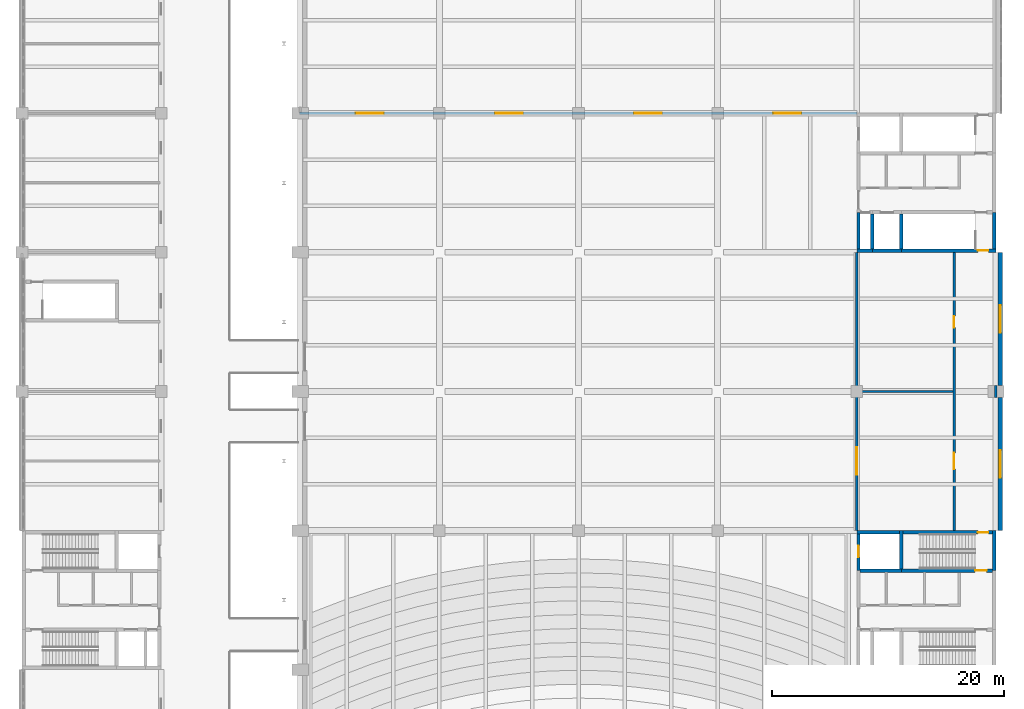
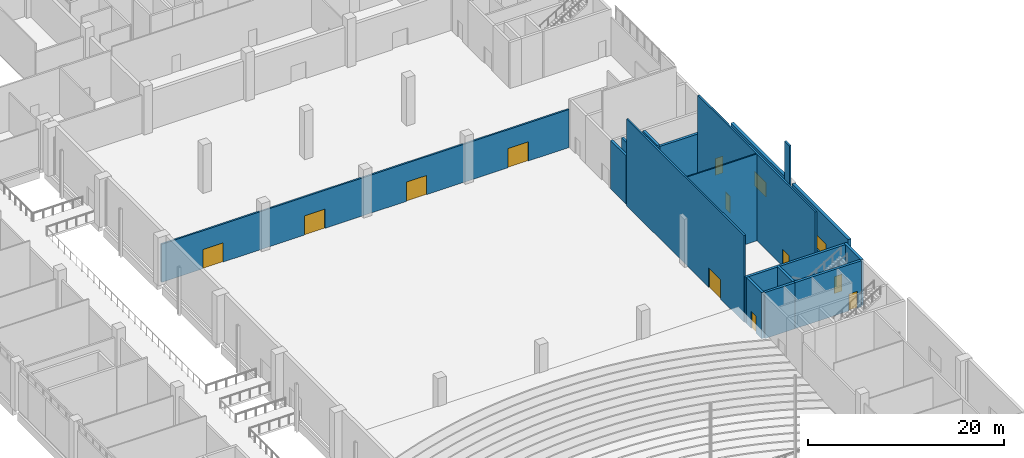
# One storey, part 61 of 72: 21 walls, 11 doors, 2 windows, 13 openings.
"""IFC4 building model written with IfcOpenShell, lengths in metres."""

from ifc_helpers import new_model, si_unit, direction, frame, frame_2d, origin, place, context, subcontext, project, spatial, rectangle, extrude, material, layer, layer_set, type_object, element, fill, save


model = new_model("IFC4")

# Units and contexts
model_context = context("Model", 3, precision=1e-05, world=origin(), true_north=direction((0.0, 1.0)))
body_context = subcontext(model_context, "Body", "Model", "MODEL_VIEW")
ifc_project = project(units=[si_unit("LENGTHUNIT", "METRE"), si_unit("AREAUNIT", "SQUARE_METRE"), si_unit("VOLUMEUNIT", "CUBIC_METRE"), si_unit("PLANEANGLEUNIT", "RADIAN"), si_unit("MASSUNIT", "GRAM", prefix="KILO")], contexts=[model_context])

# Site, building, storey
site_placement = place(None, origin())
site = spatial("IfcSite", under=ifc_project, at=site_placement, CompositionType="ELEMENT")
building_placement = place(site_placement, origin())
building = spatial("IfcBuilding", under=site, at=building_placement, Name="Lilac Gate Convention Centre", CompositionType="ELEMENT")
storey_placement = place(building_placement, frame((0.0, 0.0, 6.0)))
storey = spatial("IfcBuildingStorey", under=building, at=storey_placement, Name="L01", CompositionType="ELEMENT", Elevation=6.0)

# Wall
ifc_material_1 = material(Name="Fire-rated gypsum board on steel stud", Category="steel")
ifc_layer_1 = layer(ifc_material_1, 0.14990234375)
ifc_layer_set_1 = layer_set([ifc_layer_1], Name="Fire-rated gypsum board on steel stud")
wall_type_1 = type_object("IfcWallType", Name="Partition 150 fire-rated gypsum board EI 60", PredefinedType="PARTITIONING", material=ifc_layer_set_1)
wall_1_placement = place(storey_placement, frame((78.10009765625, 174.0, 0.0), z_axis=(0.0, 0.0, 1.0), x_axis=(1.0, 0.0, 0.0)))
element("IfcWall", 1, at=wall_1_placement, inside=storey, type_object=wall_type_1, Name="Partition 150 fire-rated gypsum board EI 60", PredefinedType="PARTITIONING", context=body_context, shape_type="SweptSolid", body=[
    extrude(rectangle(XDim=8.199951171875, YDim=0.14990234375, at=frame_2d((4.10009765625, 0.0))), origin(), (0.0, 0.0, 1.0), 10.824951171875),
])

# Wall, openings, doors
ifc_material_2 = material(Name="Clay brick masonry", Category="masonry")
ifc_layer_2 = layer(ifc_material_2, 0.199951171875)
ifc_layer_set_2 = layer_set([ifc_layer_2], Name="Clay brick masonry")
wall_type_2 = type_object("IfcWallType", Name="Partition 200 brick EI 120", PredefinedType="PARTITIONING", material=ifc_layer_set_2)
wall_2_placement = place(storey_placement, frame((29.925048828125, 198.0, 0.0), z_axis=(0.0, 0.0, 1.0), x_axis=(1.0, 0.0, 0.0)))
wall_2 = element("IfcWall", 2, at=wall_2_placement, inside=storey, type_object=wall_type_2, Name="Partition 200 brick EI 120", PredefinedType="PARTITIONING", context=body_context, shape_type="SweptSolid", body=[
    extrude(rectangle(XDim=48.074951171875, YDim=0.199951171875, at=frame_2d((24.03759765625, 0.0))), origin(), (0.0, 0.0, 1.0), 4.75),
])
opening_1_placement = place(wall_2_placement, frame((4.875, 0.0, 0.0)))
opening_1 = element("IfcOpeningElement", 3, at=opening_1_placement, cuts=wall_2, Name="Opening L01-094", PredefinedType="OPENING", context=body_context, shape_type="SweptSolid", body=[
    extrude(rectangle(XDim=2.39990234375, YDim=2.39990234375, at=frame_2d((1.199951171875, 1.199951171875))), frame((0.0, 0.10986328125, 0.0), z_axis=(0.0, -1.0, 0.0), x_axis=(1.0, 0.0, 0.0)), (0.0, 0.0, 1.0), 0.219970703125),
])
opening_2_placement = place(wall_2_placement, frame((16.875, 0.0, 0.0)))
opening_2 = element("IfcOpeningElement", 4, at=opening_2_placement, cuts=wall_2, Name="Opening L01-095", PredefinedType="OPENING", context=body_context, shape_type="SweptSolid", body=[
    extrude(rectangle(XDim=2.39990234375, YDim=2.39990234375, at=frame_2d((1.199951171875, 1.199951171875))), frame((0.0, 0.10986328125, 0.0), z_axis=(0.0, -1.0, 0.0), x_axis=(1.0, 0.0, 0.0)), (0.0, 0.0, 1.0), 0.219970703125),
])
opening_3_placement = place(wall_2_placement, frame((28.875, 0.0, 0.0)))
opening_3 = element("IfcOpeningElement", 5, at=opening_3_placement, cuts=wall_2, Name="Opening L01-096", PredefinedType="OPENING", context=body_context, shape_type="SweptSolid", body=[
    extrude(rectangle(XDim=2.39990234375, YDim=2.39990234375, at=frame_2d((1.199951171875, 1.199951171875))), frame((0.0, 0.10986328125, 0.0), z_axis=(0.0, -1.0, 0.0), x_axis=(1.0, 0.0, 0.0)), (0.0, 0.0, 1.0), 0.219970703125),
])
opening_4_placement = place(wall_2_placement, frame((40.875, 0.0, 0.0)))
opening_4 = element("IfcOpeningElement", 6, at=opening_4_placement, cuts=wall_2, Name="Opening L01-097", PredefinedType="OPENING", context=body_context, shape_type="SweptSolid", body=[
    extrude(rectangle(XDim=2.39990234375, YDim=2.39990234375, at=frame_2d((1.199951171875, 1.199951171875))), frame((0.0, 0.10986328125, 0.0), z_axis=(0.0, -1.0, 0.0), x_axis=(1.0, 0.0, 0.0)), (0.0, 0.0, 1.0), 0.219970703125),
])
ifc_material_3 = material(Name="Steel Q235B", Category="steel")
door_type_1 = type_object("IfcDoorType", Name="Door 2400 x 2400 double leaf FD90", OperationType="DOUBLE_DOOR_SINGLE_SWING", PredefinedType="DOOR", material=ifc_material_3)
door_1_placement = place(opening_1_placement, origin())
door_1 = element("IfcDoor", 7, at=door_1_placement, inside=storey, type_object=door_type_1, Name="Hall exit door L01-094", OperationType="DOUBLE_DOOR_SINGLE_SWING", OverallHeight=2.39990234375, OverallWidth=2.39990234375, PredefinedType="DOOR", context=body_context, shape_type="SweptSolid", body=[
    extrude(rectangle(XDim=2.39990234375, YDim=2.39990234375, at=frame_2d((1.199951171875, 1.199951171875))), frame((0.0, 0.02490234375, 0.0), z_axis=(0.0, -1.0, 0.0), x_axis=(1.0, 0.0, 0.0)), (0.0, 0.0, 1.0), 0.050048828125),
])
fill(opening_1, door_1)
door_2_placement = place(opening_2_placement, origin())
door_2 = element("IfcDoor", 8, at=door_2_placement, inside=storey, type_object=door_type_1, Name="Hall exit door L01-095", OperationType="DOUBLE_DOOR_SINGLE_SWING", OverallHeight=2.39990234375, OverallWidth=2.39990234375, PredefinedType="DOOR", context=body_context, shape_type="SweptSolid", body=[
    extrude(rectangle(XDim=2.39990234375, YDim=2.39990234375, at=frame_2d((1.199951171875, 1.199951171875))), frame((0.0, 0.02490234375, 0.0), z_axis=(0.0, -1.0, 0.0), x_axis=(1.0, 0.0, 0.0)), (0.0, 0.0, 1.0), 0.050048828125),
])
fill(opening_2, door_2)
door_3_placement = place(opening_3_placement, origin())
door_3 = element("IfcDoor", 9, at=door_3_placement, inside=storey, type_object=door_type_1, Name="Hall exit door L01-096", OperationType="DOUBLE_DOOR_SINGLE_SWING", OverallHeight=2.39990234375, OverallWidth=2.39990234375, PredefinedType="DOOR", context=body_context, shape_type="SweptSolid", body=[
    extrude(rectangle(XDim=2.39990234375, YDim=2.39990234375, at=frame_2d((1.199951171875, 1.199951171875))), frame((0.0, 0.02490234375, 0.0), z_axis=(0.0, -1.0, 0.0), x_axis=(1.0, 0.0, 0.0)), (0.0, 0.0, 1.0), 0.050048828125),
])
fill(opening_3, door_3)
door_4_placement = place(opening_4_placement, origin())
door_4 = element("IfcDoor", 10, at=door_4_placement, inside=storey, type_object=door_type_1, Name="Hall exit door L01-097", OperationType="DOUBLE_DOOR_SINGLE_SWING", OverallHeight=2.39990234375, OverallWidth=2.39990234375, PredefinedType="DOOR", context=body_context, shape_type="SweptSolid", body=[
    extrude(rectangle(XDim=2.39990234375, YDim=2.39990234375, at=frame_2d((1.199951171875, 1.199951171875))), frame((0.0, 0.02490234375, 0.0), z_axis=(0.0, -1.0, 0.0), x_axis=(1.0, 0.0, 0.0)), (0.0, 0.0, 1.0), 0.050048828125),
])
fill(opening_4, door_4)

# Wall, opening, door
wall_3_placement = place(storey_placement, frame((78.0, 162.0, 0.0), z_axis=(0.0, 0.0, 1.0), x_axis=(0.0, 1.0, 0.0)))
wall_3 = element("IfcWall", 11, at=wall_3_placement, inside=storey, type_object=wall_type_2, Name="Partition 200 brick EI 120", PredefinedType="PARTITIONING", context=body_context, shape_type="SweptSolid", body=[
    extrude(rectangle(XDim=24.0, YDim=0.199951171875, at=frame_2d((12.0, 0.0))), origin(), (0.0, 0.0, 1.0), 10.824951171875),
])
opening_5_placement = place(wall_3_placement, frame((4.800048828125, 0.0, 0.0)))
opening_5 = element("IfcOpeningElement", 12, at=opening_5_placement, cuts=wall_3, Name="Opening L01-073", PredefinedType="OPENING", context=body_context, shape_type="SweptSolid", body=[
    extrude(rectangle(XDim=2.39990234375, YDim=2.39990234375, at=frame_2d((1.199951171875, 1.199951171875))), frame((0.0, 0.10986328125, 0.0), z_axis=(0.0, -1.0, 0.0), x_axis=(1.0, 0.0, 0.0)), (0.0, 0.0, 1.0), 0.219970703125),
])
door_5_placement = place(opening_5_placement, frame((2.39990234375, 0.0, 0.0), z_axis=(0.0, 0.0, 1.0), x_axis=(-1.0, 0.0, 0.0)))
door_5 = element("IfcDoor", 13, at=door_5_placement, inside=storey, type_object=door_type_1, Name="Hall exit door L01-073", OperationType="DOUBLE_DOOR_SINGLE_SWING", OverallHeight=2.39990234375, OverallWidth=2.39990234375, PredefinedType="DOOR", context=body_context, shape_type="SweptSolid", body=[
    extrude(rectangle(XDim=2.39990234375, YDim=2.39990234375, at=frame_2d((1.199951171875, 1.199951171875))), frame((0.0, 0.02490234375, 0.0), z_axis=(0.0, -1.0, 0.0), x_axis=(1.0, 0.0, 0.0)), (0.0, 0.0, 1.0), 0.050048828125),
])
fill(opening_5, door_5)

# Wall, openings, doors
ifc_layer_3 = layer(ifc_material_2, 0.199951171875)
ifc_layer_set_3 = layer_set([ifc_layer_3], Name="Clay brick masonry")
wall_type_3 = type_object("IfcWallType", Name="Partition 200 brick EI 60", PredefinedType="PARTITIONING", material=ifc_layer_set_3)
wall_4_placement = place(storey_placement, frame((86.39990234375, 162.0, 0.0), z_axis=(0.0, 0.0, 1.0), x_axis=(0.0, 1.0, 0.0)))
wall_4 = element("IfcWall", 14, at=wall_4_placement, inside=storey, type_object=wall_type_3, Name="Partition 200 brick EI 60", PredefinedType="PARTITIONING", context=body_context, shape_type="SweptSolid", body=[
    extrude(rectangle(XDim=24.0, YDim=0.199951171875, at=frame_2d((12.0, 0.0))), origin(), (0.0, 0.0, 1.0), 10.824951171875),
])
opening_6_placement = place(wall_4_placement, frame((5.300048828125, 0.0, 0.0)))
opening_6 = element("IfcOpeningElement", 15, at=opening_6_placement, cuts=wall_4, Name="Opening L01-074", PredefinedType="OPENING", context=body_context, shape_type="SweptSolid", body=[
    extrude(rectangle(XDim=1.39990234375, YDim=2.10009765625, at=frame_2d((0.699951171875, 1.050048828125))), frame((0.0, 0.10986328125, 0.0), z_axis=(0.0, -1.0, 0.0), x_axis=(1.0, 0.0, 0.0)), (0.0, 0.0, 1.0), 0.219970703125),
])
opening_7_placement = place(wall_4_placement, frame((17.5, 0.0, 0.0)))
opening_7 = element("IfcOpeningElement", 16, at=opening_7_placement, cuts=wall_4, Name="Opening L01-079", PredefinedType="OPENING", context=body_context, shape_type="SweptSolid", body=[
    extrude(rectangle(XDim=1.0, YDim=2.10009765625, at=frame_2d((0.5, 1.050048828125))), frame((0.0, 0.10986328125, 0.0), z_axis=(0.0, -1.0, 0.0), x_axis=(1.0, 0.0, 0.0)), (0.0, 0.0, 1.0), 0.219970703125),
])
ifc_material_4 = material(Name="Timber fire door leaf", Category="wood")
door_type_2 = type_object("IfcDoorType", Name="Door 1000 x 2100 single leaf FD30", OperationType="SINGLE_SWING_LEFT", PredefinedType="DOOR", material=ifc_material_4)
door_6_placement = place(opening_7_placement, origin())
door_6 = element("IfcDoor", 17, at=door_6_placement, inside=storey, type_object=door_type_2, Name="Store door L01-079", OperationType="SINGLE_SWING_RIGHT", OverallHeight=2.10009765625, OverallWidth=1.0, PredefinedType="DOOR", context=body_context, shape_type="SweptSolid", body=[
    extrude(rectangle(XDim=1.0, YDim=2.10009765625, at=frame_2d((0.5, 1.050048828125))), frame((0.0, 0.02490234375, 0.0), z_axis=(0.0, -1.0, 0.0), x_axis=(1.0, 0.0, 0.0)), (0.0, 0.0, 1.0), 0.050048828125),
])
fill(opening_7, door_6)
door_type_3 = type_object("IfcDoorType", Name="Door 1400 x 2100 double leaf FD30", OperationType="DOUBLE_DOOR_SINGLE_SWING", PredefinedType="DOOR", material=ifc_material_4)
door_7_placement = place(opening_6_placement, frame((1.39990234375, 0.0, 0.0), z_axis=(0.0, 0.0, 1.0), x_axis=(-1.0, 0.0, 0.0)))
door_7 = element("IfcDoor", 18, at=door_7_placement, inside=storey, type_object=door_type_3, Name="Pantry door L01-074", OperationType="DOUBLE_DOOR_SINGLE_SWING", OverallHeight=2.10009765625, OverallWidth=1.39990234375, PredefinedType="DOOR", context=body_context, shape_type="SweptSolid", body=[
    extrude(rectangle(XDim=1.39990234375, YDim=2.10009765625, at=frame_2d((0.699951171875, 1.050048828125))), frame((0.0, 0.02490234375, 0.0), z_axis=(0.0, -1.0, 0.0), x_axis=(1.0, 0.0, 0.0)), (0.0, 0.0, 1.0), 0.050048828125),
])
fill(opening_6, door_7)

# Wall
wall_5_placement = place(storey_placement, frame((90.0, 173.5, 0.0), z_axis=(0.0, 0.0, 1.0), x_axis=(0.0, 1.0, 0.0)))
element("IfcWall", 19, at=wall_5_placement, inside=storey, type_object=wall_type_3, Name="Partition 200 brick EI 60", PredefinedType="PARTITIONING", context=body_context, shape_type="SweptSolid", body=[
    extrude(rectangle(XDim=1.0, YDim=0.199951171875, at=frame_2d((0.5, 0.0))), origin(), (0.0, 0.0, 1.0), 10.824951171875),
])

# Wall, opening, window
ifc_material_5 = material(Name="Ochre mineral render")
ifc_layer_4 = layer(ifc_material_5, 0.02001953125)
ifc_material_6 = material(Name="Concrete C40 precast", Category="concrete")
ifc_layer_5 = layer(ifc_material_6, 0.06005859375)
ifc_material_7 = material(Name="Ventilated air cavity")
ifc_layer_6 = layer(ifc_material_7, 0.030029296875)
ifc_material_8 = material(Name="Mineral wool insulation")
ifc_layer_7 = layer(ifc_material_8, 0.169921875)
ifc_material_9 = material(Name="Steel stud Q345 and gypsum lining", Category="steel")
ifc_layer_8 = layer(ifc_material_9, 0.070068359375)
ifc_layer_set_4 = layer_set([ifc_layer_4, ifc_layer_5, ifc_layer_6, ifc_layer_7, ifc_layer_8], Name="Ochre mineral render, Concrete C40 precast, Ventilated air cavity, Mineral wool insulation, Steel stud Q345 and gypsum lining")
wall_type_4 = type_object("IfcWallType", Name="Podium precast wall 350", PredefinedType="STANDARD", material=ifc_layer_set_4)
wall_6_placement = place(storey_placement, frame((90.375, 162.0, 0.0), z_axis=(0.0, 0.0, 1.0), x_axis=(0.0, 1.0, 0.0)))
wall_6 = element("IfcWall", 20, at=wall_6_placement, inside=storey, type_object=wall_type_4, Name="External wall hall east HE L01 10", PredefinedType="STANDARD", context=body_context, shape_type="SweptSolid", body=[
    extrude(rectangle(XDim=11.5, YDim=0.35009765625, at=frame_2d((5.75, 0.0))), origin(), (0.0, 0.0, 1.0), 6.0),
])
opening_8_placement = place(wall_6_placement, frame((4.550048828125, 0.0, 0.89990234375)))
opening_8 = element("IfcOpeningElement", 21, at=opening_8_placement, cuts=wall_6, Name="Opening W5", PredefinedType="OPENING", context=body_context, shape_type="SweptSolid", body=[
    extrude(rectangle(XDim=2.39990234375, YDim=1.800048828125, at=frame_2d((1.199951171875, 0.89990234375))), frame((0.0, 0.18505859375, 0.0), z_axis=(0.0, -1.0, 0.0), x_axis=(1.0, 0.0, 0.0)), (0.0, 0.0, 1.0), 0.3701171875),
])
ifc_material_10 = material(Name="Aluminium framed double glazing", Category="aluminium")
window_type = type_object("IfcWindowType", Name="Meeting room window 2400 x 1800", PartitioningType="TRIPLE_PANEL_VERTICAL", PredefinedType="WINDOW", material=ifc_material_10)
window_1_placement = place(opening_8_placement, origin())
window_1 = element("IfcWindow", 22, at=window_1_placement, inside=storey, type_object=window_type, Name="Window L01 east 167", OverallHeight=1.800048828125, OverallWidth=2.39990234375, PartitioningType="SINGLE_PANEL", PredefinedType="WINDOW", context=body_context, shape_type="SweptSolid", body=[
    extrude(rectangle(XDim=2.39990234375, YDim=1.800048828125, at=frame_2d((1.199951171875, 0.89990234375))), frame((0.0, 0.030029296875, 0.0), z_axis=(0.0, -1.0, 0.0), x_axis=(1.0, 0.0, 0.0)), (0.0, 0.0, 1.0), 0.06005859375),
])
fill(opening_8, window_1)

wall_7_placement = place(storey_placement, frame((90.375, 174.5, 0.0), z_axis=(0.0, 0.0, 1.0), x_axis=(0.0, 1.0, 0.0)))
wall_7 = element("IfcWall", 23, at=wall_7_placement, inside=storey, type_object=wall_type_4, Name="External wall hall east HE L01 11", PredefinedType="STANDARD", context=body_context, shape_type="SweptSolid", body=[
    extrude(rectangle(XDim=11.5, YDim=0.35009765625, at=frame_2d((5.75, 0.0))), origin(), (0.0, 0.0, 1.0), 6.0),
])
opening_9_placement = place(wall_7_placement, frame((4.550048828125, 0.0, 0.89990234375)))
opening_9 = element("IfcOpeningElement", 24, at=opening_9_placement, cuts=wall_7, Name="Opening W5", PredefinedType="OPENING", context=body_context, shape_type="SweptSolid", body=[
    extrude(rectangle(XDim=2.39990234375, YDim=1.800048828125, at=frame_2d((1.199951171875, 0.89990234375))), frame((0.0, 0.18505859375, 0.0), z_axis=(0.0, -1.0, 0.0), x_axis=(1.0, 0.0, 0.0)), (0.0, 0.0, 1.0), 0.3701171875),
])
window_2_placement = place(opening_9_placement, origin())
window_2 = element("IfcWindow", 25, at=window_2_placement, inside=storey, type_object=window_type, Name="Window L01 east 180", OverallHeight=1.800048828125, OverallWidth=2.39990234375, PartitioningType="SINGLE_PANEL", PredefinedType="WINDOW", context=body_context, shape_type="SweptSolid", body=[
    extrude(rectangle(XDim=2.39990234375, YDim=1.800048828125, at=frame_2d((1.199951171875, 0.89990234375))), frame((0.0, 0.030029296875, 0.0), z_axis=(0.0, -1.0, 0.0), x_axis=(1.0, 0.0, 0.0)), (0.0, 0.0, 1.0), 0.06005859375),
])
fill(opening_9, window_2)

# Wall, opening, door
ifc_material_11 = material(Name="Concrete C40", Category="concrete")
ifc_layer_9 = layer(ifc_material_11, 0.300048828125)
ifc_layer_set_5 = layer_set([ifc_layer_9], Name="Concrete C40")
wall_type_5 = type_object("IfcWallType", Name="Shear wall 300 C40", PredefinedType="SHEAR", material=ifc_layer_set_5)
wall_8_placement = place(storey_placement, frame((90.0, 161.85009765625, 0.0), z_axis=(0.0, 0.0, 1.0), x_axis=(-1.0, 0.0, 0.0)))
wall_8 = element("IfcWall", 26, at=wall_8_placement, inside=storey, type_object=wall_type_5, Name="SW1 shear wall E2 L01 4", PredefinedType="SHEAR", context=body_context, shape_type="SweptSolid", body=[
    extrude(rectangle(XDim=8.14990234375, YDim=0.300048828125, at=frame_2d((4.074951171875, 0.0))), origin(), (0.0, 0.0, 1.0), 5.75),
])
opening_10_placement = place(wall_8_placement, frame((0.64990234375, 0.0, 0.0)))
opening_10 = element("IfcOpeningElement", 27, at=opening_10_placement, cuts=wall_8, Name="Opening L01-071", PredefinedType="OPENING", context=body_context, shape_type="SweptSolid", body=[
    extrude(rectangle(XDim=0.89990234375, YDim=2.10009765625, at=frame_2d((0.449951171875, 1.050048828125))), frame((0.0, 0.159912109375, 0.0), z_axis=(0.0, -1.0, 0.0), x_axis=(1.0, 0.0, 0.0)), (0.0, 0.0, 1.0), 0.320068359375),
])
door_type_4 = type_object("IfcDoorType", Name="Door 900 x 2100 single leaf FD60", OperationType="SINGLE_SWING_LEFT", PredefinedType="DOOR", material=ifc_material_4)
door_8_placement = place(opening_10_placement, origin())
door_8 = element("IfcDoor", 28, at=door_8_placement, inside=storey, type_object=door_type_4, Name="Stair door L01-071", OperationType="SINGLE_SWING_RIGHT", OverallHeight=2.10009765625, OverallWidth=0.89990234375, PredefinedType="DOOR", context=body_context, shape_type="SweptSolid", body=[
    extrude(rectangle(XDim=0.89990234375, YDim=2.10009765625, at=frame_2d((0.449951171875, 1.050048828125))), frame((0.0, 0.02490234375, 0.0), z_axis=(0.0, -1.0, 0.0), x_axis=(1.0, 0.0, 0.0)), (0.0, 0.0, 1.0), 0.050048828125),
])
fill(opening_10, door_8)

# Wall
wall_9_placement = place(storey_placement, frame((81.85009765625, 161.85009765625, 0.0), z_axis=(0.0, 0.0, 1.0), x_axis=(-1.0, 0.0, 0.0)))
element("IfcWall", 29, at=wall_9_placement, inside=storey, type_object=wall_type_5, Name="SW1 shear wall E2 L01 5", PredefinedType="SHEAR", context=body_context, shape_type="SweptSolid", body=[
    extrude(rectangle(XDim=3.85009765625, YDim=0.300048828125, at=frame_2d((1.925048828125, 0.0))), origin(), (0.0, 0.0, 1.0), 5.75),
])

# Wall, opening, door
wall_10_placement = place(storey_placement, frame((89.699951171875, 158.550048828125, 0.0), z_axis=(0.0, 0.0, 1.0), x_axis=(-1.0, 0.0, 0.0)))
wall_10 = element("IfcWall", 30, at=wall_10_placement, inside=storey, type_object=wall_type_5, Name="SW1 shear wall E2 L01 9", PredefinedType="SHEAR", context=body_context, shape_type="SweptSolid", body=[
    extrude(rectangle(XDim=7.849853515625, YDim=0.300048828125, at=frame_2d((3.9248046875, 0.0))), origin(), (0.0, 0.0, 1.0), 5.75),
])
opening_11_placement = place(wall_10_placement, frame((0.5, 0.0, 0.0)))
opening_11 = element("IfcOpeningElement", 31, at=opening_11_placement, cuts=wall_10, Name="Opening L01-068", PredefinedType="OPENING", context=body_context, shape_type="SweptSolid", body=[
    extrude(rectangle(XDim=1.0, YDim=2.10009765625, at=frame_2d((0.5, 1.050048828125))), frame((0.0, 0.159912109375, 0.0), z_axis=(0.0, -1.0, 0.0), x_axis=(1.0, 0.0, 0.0)), (0.0, 0.0, 1.0), 0.320068359375),
])
door_type_5 = type_object("IfcDoorType", Name="Door 1000 x 2100 single leaf FD60", OperationType="SINGLE_SWING_LEFT", PredefinedType="DOOR", material=ifc_material_4)
door_9_placement = place(opening_11_placement, frame((1.0, 0.0, 0.0), z_axis=(0.0, 0.0, 1.0), x_axis=(-1.0, 0.0, 0.0)))
door_9 = element("IfcDoor", 32, at=door_9_placement, inside=storey, type_object=door_type_5, Name="Stair door L01-068", OperationType="SINGLE_SWING_LEFT", OverallHeight=2.10009765625, OverallWidth=1.0, PredefinedType="DOOR", context=body_context, shape_type="SweptSolid", body=[
    extrude(rectangle(XDim=1.0, YDim=2.10009765625, at=frame_2d((0.5, 1.050048828125))), frame((0.0, 0.02490234375, 0.0), z_axis=(0.0, -1.0, 0.0), x_axis=(1.0, 0.0, 0.0)), (0.0, 0.0, 1.0), 0.050048828125),
])
fill(opening_11, door_9)

# Walls
wall_11_placement = place(storey_placement, frame((81.85009765625, 158.550048828125, 0.0), z_axis=(0.0, 0.0, 1.0), x_axis=(-1.0, 0.0, 0.0)))
element("IfcWall", 33, at=wall_11_placement, inside=storey, type_object=wall_type_5, Name="SW1 shear wall E2 L01 10", PredefinedType="SHEAR", context=body_context, shape_type="SweptSolid", body=[
    extrude(rectangle(XDim=3.550048828125, YDim=0.300048828125, at=frame_2d((1.77490234375, 0.0))), origin(), (0.0, 0.0, 1.0), 5.75),
])
wall_12_placement = place(storey_placement, frame((89.85009765625, 158.550048828125, 0.0), z_axis=(0.0, 0.0, 1.0), x_axis=(0.0, 1.0, 0.0)))
element("IfcWall", 34, at=wall_12_placement, inside=storey, type_object=wall_type_5, Name="SW1 shear wall E2 L01 13", PredefinedType="SHEAR", context=body_context, shape_type="SweptSolid", body=[
    extrude(rectangle(XDim=3.449951171875, YDim=0.300048828125, at=frame_2d((1.72509765625, 0.0))), origin(), (0.0, 0.0, 1.0), 5.75),
])

# Wall, opening, door
wall_13_placement = place(storey_placement, frame((78.14990234375, 158.550048828125, 0.0), z_axis=(0.0, 0.0, 1.0), x_axis=(0.0, 1.0, 0.0)))
wall_13 = element("IfcWall", 35, at=wall_13_placement, inside=storey, type_object=wall_type_5, Name="SW1 shear wall E2 L01 16", PredefinedType="SHEAR", context=body_context, shape_type="SweptSolid", body=[
    extrude(rectangle(XDim=3.14990234375, YDim=0.300048828125, at=frame_2d((1.574951171875, 0.0))), origin(), (0.0, 0.0, 1.0), 5.75),
])
opening_12_placement = place(wall_13_placement, frame((1.14990234375, 0.0, 0.0)))
opening_12 = element("IfcOpeningElement", 36, at=opening_12_placement, cuts=wall_13, Name="Opening L01-070", PredefinedType="OPENING", context=body_context, shape_type="SweptSolid", body=[
    extrude(rectangle(XDim=1.0, YDim=2.10009765625, at=frame_2d((0.5, 1.050048828125))), frame((0.0, 0.159912109375, 0.0), z_axis=(0.0, -1.0, 0.0), x_axis=(1.0, 0.0, 0.0)), (0.0, 0.0, 1.0), 0.320068359375),
])
door_10_placement = place(opening_12_placement, frame((1.0, 0.0, 0.0), z_axis=(0.0, 0.0, 1.0), x_axis=(-1.0, 0.0, 0.0)))
door_10 = element("IfcDoor", 37, at=door_10_placement, inside=storey, type_object=door_type_2, Name="Riser access door L01-070", OperationType="SINGLE_SWING_LEFT", OverallHeight=2.10009765625, OverallWidth=1.0, PredefinedType="DOOR", context=body_context, shape_type="SweptSolid", body=[
    extrude(rectangle(XDim=1.0, YDim=2.10009765625, at=frame_2d((0.5, 1.050048828125))), frame((0.0, 0.02490234375, 0.0), z_axis=(0.0, -1.0, 0.0), x_axis=(1.0, 0.0, 0.0)), (0.0, 0.0, 1.0), 0.050048828125),
])
fill(opening_12, door_10)

# Wall
wall_14_placement = place(storey_placement, frame((81.85009765625, 158.699951171875, 0.0), z_axis=(0.0, 0.0, 1.0), x_axis=(0.0, 1.0, 0.0)))
element("IfcWall", 38, at=wall_14_placement, inside=storey, type_object=wall_type_5, Name="SW1 shear wall E2 L01 18", PredefinedType="SHEAR", context=body_context, shape_type="SweptSolid", body=[
    extrude(rectangle(XDim=3.300048828125, YDim=0.300048828125, at=frame_2d((1.64990234375, 0.0))), origin(), (0.0, 0.0, 1.0), 5.75),
])

# Wall, opening, door
wall_15_placement = place(storey_placement, frame((90.0, 186.14990234375, 0.0), z_axis=(0.0, 0.0, 1.0), x_axis=(-1.0, 0.0, 0.0)))
wall_15 = element("IfcWall", 39, at=wall_15_placement, inside=storey, type_object=wall_type_5, Name="SW1 shear wall E3 L01 1", PredefinedType="SHEAR", context=body_context, shape_type="SweptSolid", body=[
    extrude(rectangle(XDim=8.14990234375, YDim=0.300048828125, at=frame_2d((4.074951171875, 0.0))), origin(), (0.0, 0.0, 1.0), 6.0),
])
opening_13_placement = place(wall_15_placement, frame((0.64990234375, 0.0, 0.0)))
opening_13 = element("IfcOpeningElement", 40, at=opening_13_placement, cuts=wall_15, Name="Opening L01-082", PredefinedType="OPENING", context=body_context, shape_type="SweptSolid", body=[
    extrude(rectangle(XDim=0.89990234375, YDim=2.10009765625, at=frame_2d((0.449951171875, 1.050048828125))), frame((0.0, 0.159912109375, 0.0), z_axis=(0.0, -1.0, 0.0), x_axis=(1.0, 0.0, 0.0)), (0.0, 0.0, 1.0), 0.320068359375),
])
door_11_placement = place(opening_13_placement, frame((0.89990234375, 0.0, 0.0), z_axis=(0.0, 0.0, 1.0), x_axis=(-1.0, 0.0, 0.0)))
door_11 = element("IfcDoor", 41, at=door_11_placement, inside=storey, type_object=door_type_4, Name="Stair door L01-082", OperationType="SINGLE_SWING_LEFT", OverallHeight=2.10009765625, OverallWidth=0.89990234375, PredefinedType="DOOR", context=body_context, shape_type="SweptSolid", body=[
    extrude(rectangle(XDim=0.89990234375, YDim=2.10009765625, at=frame_2d((0.449951171875, 1.050048828125))), frame((0.0, 0.02490234375, 0.0), z_axis=(0.0, -1.0, 0.0), x_axis=(1.0, 0.0, 0.0)), (0.0, 0.0, 1.0), 0.050048828125),
])
fill(opening_13, door_11)

# Walls
wall_16_placement = place(storey_placement, frame((81.85009765625, 186.14990234375, 0.0), z_axis=(0.0, 0.0, 1.0), x_axis=(-1.0, 0.0, 0.0)))
element("IfcWall", 42, at=wall_16_placement, inside=storey, type_object=wall_type_5, Name="SW1 shear wall E3 L01 2", PredefinedType="SHEAR", context=body_context, shape_type="SweptSolid", body=[
    extrude(rectangle(XDim=2.5, YDim=0.300048828125, at=frame_2d((1.25, 0.0))), origin(), (0.0, 0.0, 1.0), 6.0),
])
wall_17_placement = place(storey_placement, frame((79.35009765625, 186.14990234375, 0.0), z_axis=(0.0, 0.0, 1.0), x_axis=(-1.0, 0.0, 0.0)))
element("IfcWall", 43, at=wall_17_placement, inside=storey, type_object=wall_type_5, Name="SW1 shear wall E3 L01 3", PredefinedType="SHEAR", context=body_context, shape_type="SweptSolid", body=[
    extrude(rectangle(XDim=1.35009765625, YDim=0.300048828125, at=frame_2d((0.675048828125, 0.0))), origin(), (0.0, 0.0, 1.0), 6.0),
])
for number, where, z_axis, x_axis, name in (
    (44, (89.85009765625, 186.300048828125, 0.0), (0.0, 0.0, 1.0), (0.0, 1.0, 0.0), "SW1 shear wall E3 L01 11"),
    (45, (78.14990234375, 186.300048828125, 0.0), (0.0, 0.0, 1.0), (0.0, 1.0, 0.0), "SW1 shear wall E3 L01 14"),
):
    element("IfcWall", number, at=place(storey_placement, frame(where, z_axis=z_axis, x_axis=x_axis)), inside=storey, type_object=wall_type_5, Name=name, PredefinedType="SHEAR", context=body_context, shape_type="SweptSolid", body=[
        extrude(rectangle(XDim=3.14990234375, YDim=0.300048828125, at=frame_2d((1.574951171875, 0.0))), origin(), (0.0, 0.0, 1.0), 6.0),
    ])
for number, where, z_axis, x_axis, name in (
    (46, (81.85009765625, 186.300048828125, 0.0), (0.0, 0.0, 1.0), (0.0, 1.0, 0.0), "SW1 shear wall E3 L01 17"),
    (47, (79.35009765625, 186.300048828125, 0.0), (0.0, 0.0, 1.0), (0.0, 1.0, 0.0), "SW1 shear wall E3 L01 19"),
):
    element("IfcWall", number, at=place(storey_placement, frame(where, z_axis=z_axis, x_axis=x_axis)), inside=storey, type_object=wall_type_5, Name=name, PredefinedType="SHEAR", context=body_context, shape_type="SweptSolid", body=[
        extrude(rectangle(XDim=3.0, YDim=0.300048828125, at=frame_2d((1.5, 0.0))), origin(), (0.0, 0.0, 1.0), 6.0),
    ])

save(model, "model.ifc")
